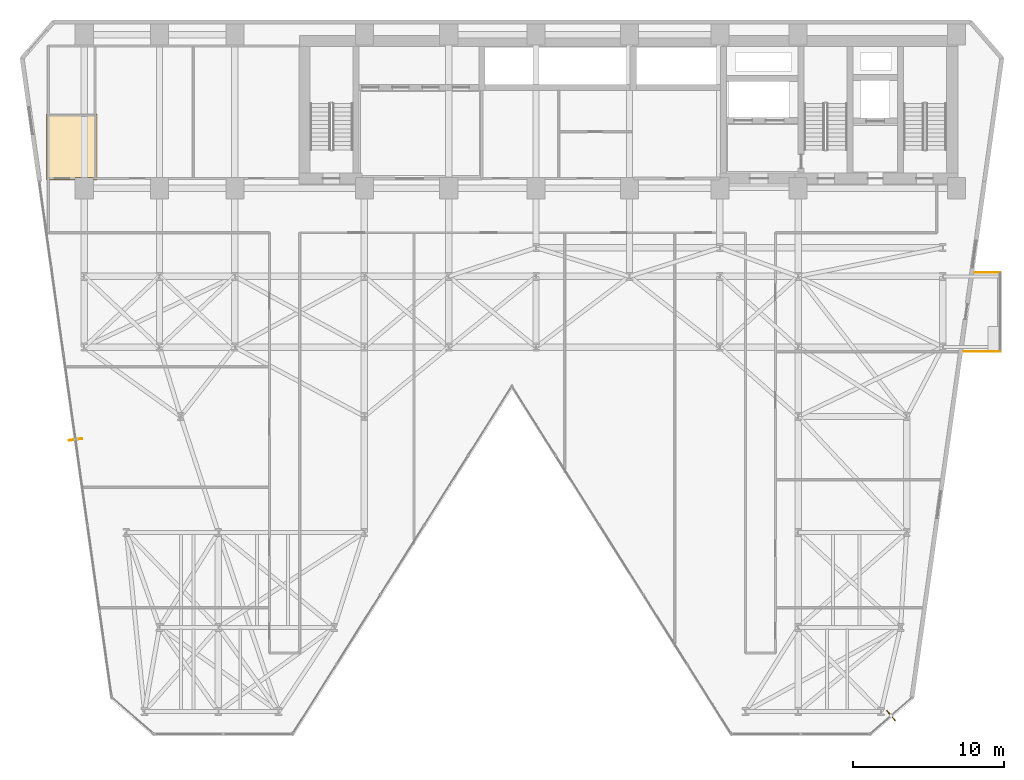
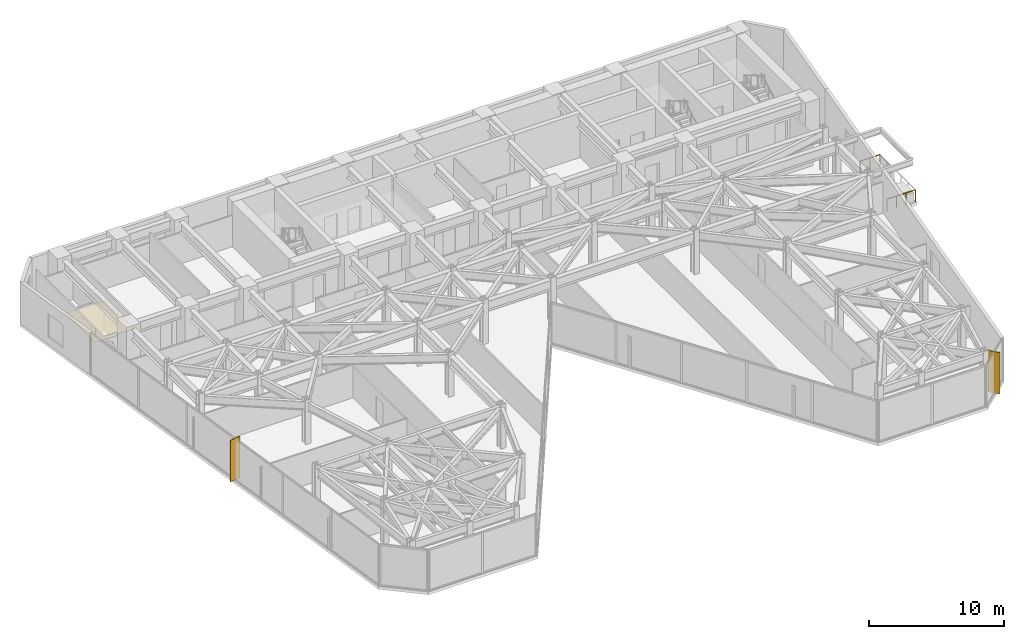
# One storey, part 23 of 25: 2 railings, 2 shading devices, 1 covering.
"""IFC4 building model written with IfcOpenShell, lengths in metres."""

from ifc_helpers import new_model, si_unit, direction, frame, origin, origin_2d, place, context, subcontext, project, spatial, polyline, rectangle, circle, outline, extrude, material, layer, layer_set, type_object, element, save


model = new_model("IFC4")

# Units and contexts
model_context = context("Model", 3, precision=1e-05, world=origin(), true_north=direction((0.0, 1.0)))
body_context = subcontext(model_context, "Body", "Model", "MODEL_VIEW")
ifc_project = project(units=[si_unit("LENGTHUNIT", "METRE"), si_unit("AREAUNIT", "SQUARE_METRE"), si_unit("VOLUMEUNIT", "CUBIC_METRE"), si_unit("PLANEANGLEUNIT", "RADIAN"), si_unit("MASSUNIT", "GRAM", prefix="KILO")], contexts=[model_context])

# Site, building, storey
site_placement = place(None, origin())
site = spatial("IfcSite", under=ifc_project, at=site_placement, CompositionType="ELEMENT")
building_placement = place(site_placement, origin())
building = spatial("IfcBuilding", under=site, at=building_placement, Name="Kravanh Interchange Tower", CompositionType="ELEMENT")
storey_placement = place(building_placement, frame((0.0, 0.0, 57.5)))
storey = spatial("IfcBuildingStorey", under=building, at=storey_placement, Name="L13", CompositionType="ELEMENT", Elevation=57.5)

# Covering
ifc_material_1 = material(Name="Acoustic Mineral Fibre Tile on Aluminium Grid", Category="aluminium")
ifc_layer_1 = layer(ifc_material_1, 0.02490234375)
ifc_layer_set_1 = layer_set([ifc_layer_1], Name="Perforated Acoustic Mineral Ceiling 25mm")
covering_type = type_object("IfcCoveringType", Name="Perforated Acoustic Mineral Ceiling 25mm", PredefinedType="CEILING", material=ifc_layer_set_1)
covering_placement = place(storey_placement, frame((0.0, 0.0, 2.550048828125)))
element("IfcCovering", 1, at=covering_placement, inside=storey, type_object=covering_type, Name="L13 Accessible WC Suspended Ceiling", PredefinedType="CEILING", context=body_context, shape_type="SweptSolid", body=[
    extrude(outline(polyline([(9.4599609375, 42.280029296875), (9.4599609375, 37.909912109375), (9.199951171875, 37.909912109375), (9.199951171875, 38.050048828125), (8.0, 38.050048828125), (8.0, 37.909912109375), (6.080078125, 37.909912109375), (6.080078125, 42.280029296875), (9.4599609375, 42.280029296875)])), origin(), (0.0, 0.0, 1.0), 0.02490234375),
])

# Railings
ifc_material_2 = material(Name="Stainless Steel 316", Category="steel")
ifc_layer_2 = layer(ifc_material_2, 0.06005859375)
ifc_layer_set_2 = layer_set([ifc_layer_2], Name="Perimeter Balcony and Terrace Guardrail Stainless 316 1120mm")
railing_type = type_object("IfcRailingType", Name="Perimeter Balcony and Terrace Guardrail Stainless 316 1120mm", PredefinedType="GUARDRAIL", material=ifc_layer_set_2)
railing_1_placement = place(storey_placement, frame((69.409912109375, 26.510009765625, 0.0)))
element("IfcRailing", 2, at=railing_1_placement, inside=storey, type_object=railing_type, Name="L13 E Balcony Guardrail 2", PredefinedType="GUARDRAIL", context=body_context, shape_type="SweptSolid", body=[
    extrude(circle(Radius=0.02392578125, at=origin_2d()), frame((0.0, 0.0, 1.09619140625), z_axis=(-1.0, 0.0, 0.0), x_axis=(0.0, -1.0, 0.0)), (0.0, 0.0, 1.0), 2.404541015625),
    extrude(circle(Radius=0.02099609375, at=origin_2d()), origin(), (0.0, 0.0, 1.0), 1.072021484375),
    extrude(circle(Radius=0.02099609375, at=origin_2d()), frame((-0.801513671875, 0.0, 0.0)), (0.0, 0.0, 1.0), 1.072021484375),
    extrude(circle(Radius=0.02099609375, at=origin_2d()), frame((-1.60302734375, 0.0, 0.0)), (0.0, 0.0, 1.0), 1.072021484375),
    extrude(circle(Radius=0.02099609375, at=origin_2d()), frame((-2.404541015625, 0.0, 0.0)), (0.0, 0.0, 1.0), 1.072021484375),
])
railing_2_placement = place(storey_placement, frame((67.74169921875, 31.75, 0.0)))
element("IfcRailing", 3, at=railing_2_placement, inside=storey, type_object=railing_type, Name="L13 E Balcony Guardrail 3", PredefinedType="GUARDRAIL", context=body_context, shape_type="SweptSolid", body=[
    extrude(circle(Radius=0.02392578125, at=origin_2d()), frame((0.0, 0.0, 1.09619140625), z_axis=(1.0, 0.0, 0.0), x_axis=(0.0, 1.0, 0.0)), (0.0, 0.0, 1.0), 1.668212890625),
    extrude(circle(Radius=0.02099609375, at=origin_2d()), origin(), (0.0, 0.0, 1.0), 1.072021484375),
    extrude(circle(Radius=0.02099609375, at=origin_2d()), frame((0.833984375, 0.0, 0.0)), (0.0, 0.0, 1.0), 1.072021484375),
    extrude(circle(Radius=0.02099609375, at=origin_2d()), frame((1.668212890625, 0.0, 0.0)), (0.0, 0.0, 1.0), 1.072021484375),
])

# Shading devices
ifc_material_3 = material(Name="Anodised Champagne Bronze Aluminium", Category="aluminium")
ifc_layer_3 = layer(ifc_material_3, 0.06005859375)
ifc_layer_set_3 = layer_set([ifc_layer_3], Name="Vertical Bronze Solar Fin 900mm")
shading_device_type = type_object("IfcShadingDeviceType", Name="Vertical Bronze Solar Fin 900mm", PredefinedType="USERDEFINED", material=ifc_layer_set_3)
for number, where, z_axis, x_axis, name in (
    (4, (8.03271484375, 20.66845703125, 0.0), (0.0, 0.0, 1.0), (-0.990267798532, -0.139175023587, 0.0), "L13 BRONZE SOLAR FIN 1"),
    (5, (62.16943359375, 2.328369140625, 0.0), (0.0, 0.0, 1.0), (0.656067828783, -0.754701930589, 0.0), "L13 BRONZE SOLAR FIN 2"),
):
    element("IfcShadingDevice", number, at=place(storey_placement, frame(where, z_axis=z_axis, x_axis=x_axis)), inside=storey, type_object=shading_device_type, Name=name, ObjectType="FIN", PredefinedType="USERDEFINED", context=body_context, shape_type="SweptSolid", body=[
        extrude(rectangle(XDim=0.89990234375, YDim=0.06005859375, at=origin_2d()), origin(), (0.0, 0.0, 1.0), 3.739990234375),
    ])

save(model, "model.ifc")
